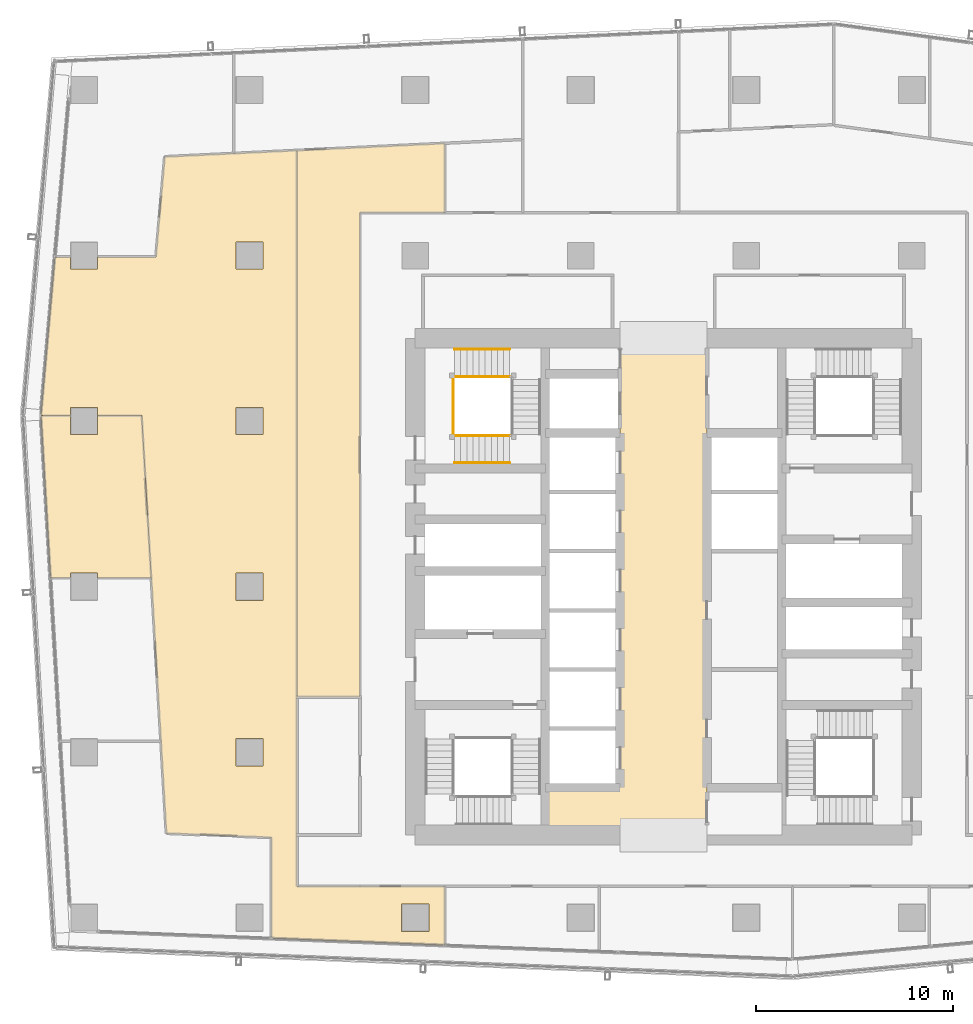
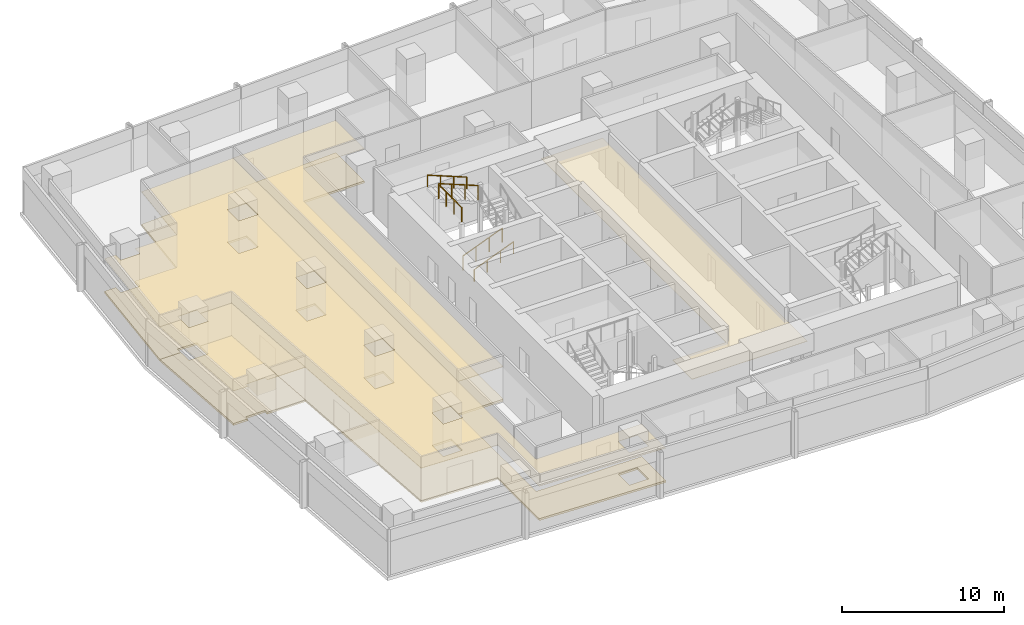
# One storey, part 33 of 38: 7 coverings, 5 railings.
"""IFC4 building model written with IfcOpenShell, lengths in metres."""

import ifcopenshell
import ifcopenshell.guid

model = None  # the IFC model being written
_history = None  # IfcOwnerHistory: only IFC2X3 demands one
_inside = {}  # id of a spatial element -> (the spatial element, [elements in it])
_under = {}  # id of a project, library or spatial element -> (it, [spatial elements below it])
_declared = {}  # id of a project -> (the project, [libraries it declares])
_typed = {}  # id of a type object -> (the type object, [elements of that type])
_made_of = {}  # id of a material, layer set ... -> (it, [elements and type objects made of it])


def new_model(schema):
    """Start an empty IFC model of exactly this schema.

    Asked for "IFC4X3", IfcOpenShell would pick the latest addendum, in which some entities
    have other attributes; the version numbers below select the first issue.
    IFC2X3 requires an IfcOwnerHistory on every rooted entity: one is made here for all.
    """
    global model, _history
    if schema == "IFC4X3":
        model = ifcopenshell.file(schema_version=(4, 3, 0, 0))
    else:
        model = ifcopenshell.file(schema=schema)
    _inside.clear()
    _under.clear()
    _declared.clear()
    _typed.clear()
    _made_of.clear()
    _history = None
    if model.schema == "IFC2X3":
        org = make("IfcOrganization", Name="unknown")
        user = make(
            "IfcPersonAndOrganization",
            ThePerson=make("IfcPerson", FamilyName="unknown"),
            TheOrganization=org,
        )
        app = make(
            "IfcApplication",
            ApplicationDeveloper=org,
            Version="unknown",
            ApplicationFullName="unknown",
            ApplicationIdentifier="unknown",
        )
        _history = make(
            "IfcOwnerHistory",
            OwningUser=user,
            OwningApplication=app,
            ChangeAction="ADDED",
            CreationDate=0,
        )
    return model


def make(cls, **values):
    """One entity of the class cls with the attributes given. An attribute that is None is left unset."""
    return model.create_entity(
        cls, **{name: value for name, value in values.items() if value is not None}
    )


def rooted(cls, **values):
    """An entity with a GlobalId (a new one), such as an element, a storey or a relation."""
    return make(cls, GlobalId=ifcopenshell.guid.new(), OwnerHistory=_history, **values)


def si_unit(unit_type, name, prefix=None):
    """IfcSIUnit, for example si_unit("LENGTHUNIT", "METRE", prefix="MILLI")."""
    return make("IfcSIUnit", UnitType=unit_type, Prefix=prefix, Name=name)


def assignment(units):
    """IfcUnitAssignment: the units of a project."""
    return None if units is None else make("IfcUnitAssignment", Units=units)


def point(xyz):
    """IfcCartesianPoint."""
    return None if xyz is None else make("IfcCartesianPoint", Coordinates=xyz)


def direction(xyz):
    """IfcDirection."""
    return None if xyz is None else make("IfcDirection", DirectionRatios=xyz)


def frame(location, z_axis=None, x_axis=None):
    """IfcAxis2Placement3D, a coordinate frame: its origin and axes. An axis left out is left unset."""
    return make(
        "IfcAxis2Placement3D",
        Location=point(location),
        Axis=direction(z_axis),
        RefDirection=direction(x_axis),
    )


def frame_2d(location, x_axis=None):
    """IfcAxis2Placement2D, a coordinate frame in the plane: its origin and x axis."""
    return make(
        "IfcAxis2Placement2D", Location=point(location), RefDirection=direction(x_axis)
    )


def origin():
    """The frame at (0, 0, 0) with its axes left unset."""
    return frame((0.0, 0.0, 0.0))


def origin_2d():
    """The frame at (0, 0) in the plane with its x axis left unset."""
    return frame_2d((0.0, 0.0))


def place(relative_to, where):
    """IfcLocalPlacement: puts the frame where relative to a parent placement (None: the world)."""
    return make(
        "IfcLocalPlacement", PlacementRelTo=relative_to, RelativePlacement=where
    )


def context(
    kind, dimensions, precision=None, world=None, true_north=None, identifier=None
):
    """IfcGeometricRepresentationContext, for example the 3D "Model" context."""
    return make(
        "IfcGeometricRepresentationContext",
        ContextIdentifier=identifier,
        ContextType=kind,
        CoordinateSpaceDimension=dimensions,
        Precision=precision,
        WorldCoordinateSystem=world,
        TrueNorth=true_north,
    )


def subcontext(parent, identifier, kind, view, scale=None):
    """IfcGeometricRepresentationSubContext, for example "Body" below "Model"."""
    return make(
        "IfcGeometricRepresentationSubContext",
        ContextIdentifier=identifier,
        ContextType=kind,
        ParentContext=parent,
        TargetScale=scale,
        TargetView=view,
    )


def project(units=None, contexts=None):
    """IfcProject with its units and contexts."""
    return rooted(
        "IfcProject",
        Name="project",
        RepresentationContexts=contexts,
        UnitsInContext=assignment(units),
    )


def spatial(cls, under=None, at=None, **own):
    """A site, building, storey or space (cls), placed at a placement, below another one or the project."""
    s = rooted(cls, ObjectPlacement=at, **own)
    if under is not None:
        _under.setdefault(under.id(), (under, []))[1].append(s)
    return s


def polyline(points):
    """IfcPolyline through the points."""
    return make("IfcPolyline", Points=[point(p) for p in points])


def profile(cls, at=None, kind="AREA", **sizes):
    """A parametric profile (cls). Its sizes go by their IFC names, for example OverallWidth=200.0."""
    return make(cls, ProfileType=kind, Position=at, **sizes)


def circle(**sizes):
    """IfcCircleProfileDef."""
    return profile("IfcCircleProfileDef", **sizes)


def outline(outer, holes=None, kind="AREA"):
    """IfcArbitraryClosedProfileDef: a profile drawn as a closed curve; with holes, ...WithVoids."""
    if holes is None:
        return make("IfcArbitraryClosedProfileDef", ProfileType=kind, OuterCurve=outer)
    return make(
        "IfcArbitraryProfileDefWithVoids",
        ProfileType=kind,
        OuterCurve=outer,
        InnerCurves=holes,
    )


def extrude(swept, where, along, depth):
    """IfcExtrudedAreaSolid: the profile swept, set in the frame where, extruded along a direction by depth."""
    return make(
        "IfcExtrudedAreaSolid",
        SweptArea=swept,
        Position=where,
        ExtrudedDirection=direction(along),
        Depth=depth,
    )


def shape(context_of_items, identifier, shape_type, items):
    """IfcShapeRepresentation: the items that make up one representation, for example the "Body"."""
    return make(
        "IfcShapeRepresentation",
        ContextOfItems=context_of_items,
        RepresentationIdentifier=identifier,
        RepresentationType=shape_type,
        Items=items,
    )


def material(Name=None, Category=None):
    """IfcMaterial."""
    return make("IfcMaterial", Name=Name, Category=Category)


def layer(
    of_material, thickness, ventilated=None, Name=None, Category=None, Priority=None
):
    """IfcMaterialLayer: one layer of a wall or slab, of a material (None: an air gap)."""
    return make(
        "IfcMaterialLayer",
        Material=of_material,
        LayerThickness=thickness,
        IsVentilated=ventilated,
        Name=Name,
        Category=Category,
        Priority=Priority,
    )


def layer_set(layers, Name=None):
    """IfcMaterialLayerSet."""
    return make("IfcMaterialLayerSet", MaterialLayers=layers, LayerSetName=Name)


def made_of(thing, what):
    """Note that an element or type object is made of a material, layer set ...; save() writes the relation."""
    if what is not None:
        _made_of.setdefault(what.id(), (what, []))[1].append(thing)
    return thing


def type_object(cls, material=None, **own):
    """A type object (cls), such as IfcWallType, which elements share."""
    return made_of(rooted(cls, **own), material)


def element(
    cls,
    number,
    at=None,
    inside=None,
    cuts=None,
    type_object=None,
    material=None,
    context=None,
    identifier="Body",
    shape_type=None,
    held_by="IfcProductDefinitionShape",
    body=None,
    shapes=None,
    **own,
):
    """One element of the class cls, such as IfcWall. Its Tag is "e" and its number.

    at: its placement. inside: the storey or other place that contains it. cuts: it is an
    opening in that element (IfcRelVoidsElement). A single representation is given by context,
    identifier, shape_type and body (its items); several are given by shapes. held_by: the class
    of the entity that holds the representations. save() writes the other relations.
    """
    e = rooted(cls, Tag="e%d" % number, ObjectPlacement=at, **own)
    if body is not None:
        shapes = [shape(context, identifier, shape_type, body)]
    if shapes is not None:
        e.Representation = make(held_by, Representations=shapes)
    if inside is not None:
        _inside.setdefault(inside.id(), (inside, []))[1].append(e)
    if cuts is not None:
        rooted(
            "IfcRelVoidsElement", RelatingBuildingElement=cuts, RelatedOpeningElement=e
        )
    if type_object is not None:
        _typed.setdefault(type_object.id(), (type_object, []))[1].append(e)
    return made_of(e, material)


def aggregate(whole, parts):
    """IfcRelAggregates: a whole, such as a stair, and the parts it consists of."""
    return rooted("IfcRelAggregates", RelatingObject=whole, RelatedObjects=parts)


def save(model, path):
    """Write the relations noted so far, then the file.

    IfcRelAggregates (storeys below a building ...), IfcRelContainedInSpatialStructure (elements
    in a storey), IfcRelDefinesByType, IfcRelAssociatesMaterial and IfcRelDeclares: one each for
    every whole, place, type object, material and project.
    """
    for whole, parts in _under.values():
        aggregate(whole, parts)
    for where, things in _inside.values():
        rooted(
            "IfcRelContainedInSpatialStructure",
            RelatedElements=things,
            RelatingStructure=where,
        )
    for kind, things in _typed.values():
        rooted("IfcRelDefinesByType", RelatedObjects=things, RelatingType=kind)
    for what, things in _made_of.values():
        rooted("IfcRelAssociatesMaterial", RelatedObjects=things, RelatingMaterial=what)
    for by, libraries in _declared.values():
        rooted("IfcRelDeclares", RelatingContext=by, RelatedDefinitions=libraries)
    model.write(path)


model = new_model("IFC4")

# Units and contexts
model_context = context("Model", 3, precision=1e-05, world=origin(), true_north=direction((0.0, 1.0)))
body_context = subcontext(model_context, "Body", "Model", "MODEL_VIEW")
ifc_project = project(units=[si_unit("LENGTHUNIT", "METRE"), si_unit("AREAUNIT", "SQUARE_METRE"), si_unit("VOLUMEUNIT", "CUBIC_METRE"), si_unit("PLANEANGLEUNIT", "RADIAN"), si_unit("MASSUNIT", "GRAM", prefix="KILO")], contexts=[model_context])

# Site, building, storey
site_placement = place(None, origin())
site = spatial("IfcSite", under=ifc_project, at=site_placement, CompositionType="ELEMENT")
building_placement = place(site_placement, origin())
building = spatial("IfcBuilding", under=site, at=building_placement, Name="Rekha Terrace Tower", CompositionType="ELEMENT")
storey_placement = place(building_placement, frame((0.0, 0.0, 195.199951171875)))
storey = spatial("IfcBuildingStorey", under=building, at=storey_placement, Name="L49", CompositionType="ELEMENT", Elevation=195.199951171875)

# Coverings
ifc_material_1 = material(Name="Mineral fibre tile in exposed grid", Category="finish")
ifc_layer_1 = layer(ifc_material_1, 0.02001953125)
ifc_layer_set_1 = layer_set([ifc_layer_1], Name="Mineral fibre tile in exposed grid")
covering_type_1 = type_object("IfcCoveringType", Name="CL1 600x1200 office grid ceiling", PredefinedType="CEILING", material=ifc_layer_set_1)
covering_1_placement = place(storey_placement, frame((0.0, 0.0, 2.580078125)))
element("IfcCovering", 1, at=covering_1_placement, inside=storey, type_object=covering_type_1, Name="Ceiling L49-14", PredefinedType="CEILING", context=body_context, shape_type="SweptSolid", body=[
    extrude(outline(polyline([(9.090087890625, 34.2900390625), (9.090087890625, 34.041015625), (11.80908203125, 34.041015625), (11.323974609375, 42.281005859375), (9.090087890625, 42.281005859375), (9.090087890625, 41.31005859375), (7.7099609375, 41.31005859375), (7.7099609375, 42.281005859375), (6.215087890625, 42.281005859375), (6.699951171875, 34.041015625), (7.7099609375, 34.041015625), (7.7099609375, 34.2900390625), (9.090087890625, 34.2900390625)])), origin(), (0.0, 0.0, 1.0), 0.02001953125),
])
covering_2_placement = place(storey_placement, frame((0.0, 0.0, 2.580078125)))
element("IfcCovering", 2, at=covering_2_placement, inside=storey, type_object=covering_type_1, Name="Ceiling L49-18", PredefinedType="CEILING", context=body_context, shape_type="SweptSolid", body=[
    extrude(outline(polyline([(26.7041015625, 56.097900390625), (24.5830078125, 55.99609375), (24.27392578125, 55.98193359375), (24.02490234375, 55.969970703125), (19.199951171875, 55.739013671875), (19.199951171875, 28.0), (22.39990234375, 28.0), (22.39990234375, 52.574951171875), (26.7041015625, 52.574951171875), (26.7041015625, 56.097900390625)])), origin(), (0.0, 0.0, 1.0), 0.02001953125),
])
covering_3_placement = place(storey_placement, frame((0.0, 0.0, 2.580078125)))
element("IfcCovering", 3, at=covering_3_placement, inside=storey, type_object=covering_type_1, Name="Ceiling L49-O1b", PredefinedType="CEILING", context=body_context, shape_type="SweptSolid", body=[
    extrude(outline(polyline([(11.81005859375, 34.02490234375), (12.2958984375, 25.76708984375), (12.572021484375, 21.0830078125), (17.89892578125, 20.8701171875), (17.89892578125, 15.76611328125), (26.702880859375, 15.4150390625), (26.702880859375, 18.39990234375), (19.199951171875, 18.39990234375), (19.199951171875, 55.739013671875), (15.97412109375, 55.5849609375), (12.489990234375, 55.41796875), (12.041015625, 50.33203125), (9.090087890625, 50.33203125), (9.090087890625, 49.7099609375), (7.7099609375, 49.7099609375), (7.7099609375, 50.33203125), (6.9208984375, 50.33203125), (6.212890625, 42.31396484375), (6.215087890625, 42.281005859375), (7.7099609375, 42.281005859375), (7.7099609375, 42.68994140625), (9.090087890625, 42.68994140625), (9.090087890625, 42.281005859375), (11.330078125, 42.281005859375), (11.325927734375, 42.239013671875), (11.81005859375, 34.02490234375)]), holes=[polyline([(25.889892578125, 17.489990234375), (25.889892578125, 16.110107421875), (24.510009765625, 16.110107421875), (24.510009765625, 17.489990234375), (25.889892578125, 17.489990234375)]), polyline([(17.489990234375, 24.510009765625), (16.110107421875, 24.510009765625), (16.110107421875, 25.889892578125), (17.489990234375, 25.889892578125), (17.489990234375, 24.510009765625)]), polyline([(17.489990234375, 32.909912109375), (16.110107421875, 32.909912109375), (16.110107421875, 34.2900390625), (17.489990234375, 34.2900390625), (17.489990234375, 32.909912109375)]), polyline([(17.489990234375, 42.68994140625), (17.489990234375, 41.31005859375), (16.110107421875, 41.31005859375), (16.110107421875, 42.68994140625), (17.489990234375, 42.68994140625)]), polyline([(17.489990234375, 51.090087890625), (17.489990234375, 49.7099609375), (16.110107421875, 49.7099609375), (16.110107421875, 51.090087890625), (17.489990234375, 51.090087890625)])]), origin(), (0.0, 0.0, 1.0), 0.02001953125),
])
ifc_material_2 = material(Name="Powder-coated aluminium pan", Category="aluminium")
ifc_layer_2 = layer(ifc_material_2, 0.030029296875)
ifc_layer_set_2 = layer_set([ifc_layer_2], Name="Powder-coated aluminium pan")
covering_type_2 = type_object("IfcCoveringType", Name="CL3 300x1200 metal pan ceiling", PredefinedType="CEILING", material=ifc_layer_set_2)
covering_4_placement = place(storey_placement, frame((0.0, 0.0, 2.570068359375)))
element("IfcCovering", 4, at=covering_4_placement, inside=storey, type_object=covering_type_2, Name="Ceiling L49-LOBBY", PredefinedType="CEILING", context=body_context, shape_type="SweptSolid", body=[
    extrude(outline(polyline([(35.60009765625, 46.199951171875), (35.60009765625, 23.39990234375), (31.800048828125, 23.39990234375), (31.800048828125, 21.0), (40.0, 21.0), (40.0, 46.199951171875), (35.60009765625, 46.199951171875)])), origin(), (0.0, 0.0, 1.0), 0.030029296875),
])

# Railings
ifc_material_3 = material(Name="Stainless steel balustrade", Category="steel")
railing_type_1 = type_object("IfcRailingType", Name="GR1 1100 stair guard", PredefinedType="GUARDRAIL", material=ifc_material_3)
railing_1_placement = place(storey_placement, frame((27.199951171875, 41.264892578125, 0.125)))
element("IfcRailing", 5, at=railing_1_placement, inside=storey, type_object=railing_type_1, Name="Guard ST4 L49 flight 1", PredefinedType="GUARDRAIL", context=body_context, shape_type="SweptSolid", body=[
    extrude(circle(Radius=0.02392578125, at=origin_2d()), frame((0.0, 0.0, 1.076171875), z_axis=(0.927443287984, 0.0, 0.373963831907), x_axis=(0.0, 1.0, 0.0)), (0.0, 0.0, 1.0), 3.00830078125),
    extrude(circle(Radius=0.02099609375, at=origin_2d()), origin(), (0.0, 0.0, 1.0), 1.052001953125),
    extrude(circle(Radius=0.02099609375, at=origin_2d()), frame((0.929931640625, 0.0, 0.375)), (0.0, 0.0, 1.0), 1.052001953125),
    extrude(circle(Radius=0.02099609375, at=origin_2d()), frame((1.860107421875, 0.0, 0.75)), (0.0, 0.0, 1.0), 1.052001953125),
    extrude(circle(Radius=0.02099609375, at=origin_2d()), frame((2.7900390625, 0.0, 1.125)), (0.0, 0.0, 1.0), 1.052001953125),
])
railing_2_placement = place(storey_placement, frame((29.989990234375, 44.260009765625, 2.625)))
element("IfcRailing", 6, at=railing_2_placement, inside=storey, type_object=railing_type_1, Name="Guard ST4 L49 flight 3", PredefinedType="GUARDRAIL", context=body_context, shape_type="SweptSolid", body=[
    extrude(circle(Radius=0.02392578125, at=origin_2d()), frame((0.0, 0.0, 1.076171875), z_axis=(-0.927443287984, 0.0, 0.373963831907), x_axis=(0.0, -1.0, 0.0)), (0.0, 0.0, 1.0), 3.00830078125),
    extrude(circle(Radius=0.02099609375, at=origin_2d()), origin(), (0.0, 0.0, 1.0), 1.052001953125),
    extrude(circle(Radius=0.02099609375, at=origin_2d()), frame((-0.929931640625, 0.0, 0.375)), (0.0, 0.0, 1.0), 1.052001953125),
    extrude(circle(Radius=0.02099609375, at=origin_2d()), frame((-1.860107421875, 0.0, 0.75)), (0.0, 0.0, 1.0), 1.052001953125),
    extrude(circle(Radius=0.02099609375, at=origin_2d()), frame((-2.7900390625, 0.0, 1.125)), (0.0, 0.0, 1.0), 1.052001953125),
])
railing_3_placement = place(storey_placement, frame((27.139892578125, 41.324951171875, 3.75)))
element("IfcRailing", 7, at=railing_3_placement, inside=storey, type_object=railing_type_1, Name="Guard ST4 L49 landing 4", PredefinedType="GUARDRAIL", context=body_context, shape_type="SweptSolid", body=[
    extrude(circle(Radius=0.02392578125, at=origin_2d()), frame((0.0, 0.0, 1.076171875), z_axis=(0.0, 1.0, 0.0), x_axis=(-1.0, 0.0, 0.0)), (0.0, 0.0, 1.0), 2.875),
    extrude(circle(Radius=0.02099609375, at=origin_2d()), origin(), (0.0, 0.0, 1.0), 1.052001953125),
    extrude(circle(Radius=0.02099609375, at=origin_2d()), frame((0.0, 0.958251953125, 0.0)), (0.0, 0.0, 1.0), 1.052001953125),
    extrude(circle(Radius=0.02099609375, at=origin_2d()), frame((0.0, 1.916748046875, 0.0)), (0.0, 0.0, 1.0), 1.052001953125),
    extrude(circle(Radius=0.02099609375, at=origin_2d()), frame((0.0, 2.875, 0.0)), (0.0, 0.0, 1.0), 1.052001953125),
])
ifc_material_4 = material(Name="Stainless steel tube", Category="steel")
railing_type_2 = type_object("IfcRailingType", Name="HR1 900 stair handrail", PredefinedType="HANDRAIL", material=ifc_material_4)
railing_4_placement = place(storey_placement, frame((27.199951171875, 39.885009765625, 0.125)))
element("IfcRailing", 8, at=railing_4_placement, inside=storey, type_object=railing_type_2, Name="Handrail ST4 L49 flight 1", PredefinedType="HANDRAIL", context=body_context, shape_type="SweptSolid", body=[
    extrude(circle(Radius=0.02392578125, at=origin_2d()), frame((0.0, 0.0, 0.8759765625), z_axis=(0.927443287984, 0.0, 0.373963831907), x_axis=(0.0, 1.0, 0.0)), (0.0, 0.0, 1.0), 3.00830078125),
    extrude(circle(Radius=0.02099609375, at=origin_2d()), origin(), (0.0, 0.0, 1.0), 0.851806640625),
    extrude(circle(Radius=0.02099609375, at=origin_2d()), frame((0.929931640625, 0.0, 0.375)), (0.0, 0.0, 1.0), 0.851806640625),
    extrude(circle(Radius=0.02099609375, at=origin_2d()), frame((1.860107421875, 0.0, 0.75)), (0.0, 0.0, 1.0), 0.851806640625),
    extrude(circle(Radius=0.02099609375, at=origin_2d()), frame((2.7900390625, 0.0, 1.125)), (0.0, 0.0, 1.0), 0.851806640625),
])
railing_5_placement = place(storey_placement, frame((29.989990234375, 45.639892578125, 2.625)))
element("IfcRailing", 9, at=railing_5_placement, inside=storey, type_object=railing_type_2, Name="Handrail ST4 L49 flight 3", PredefinedType="HANDRAIL", context=body_context, shape_type="SweptSolid", body=[
    extrude(circle(Radius=0.02392578125, at=origin_2d()), frame((0.0, 0.0, 0.8759765625), z_axis=(-0.927443287984, 0.0, 0.373963831907), x_axis=(0.0, -1.0, 0.0)), (0.0, 0.0, 1.0), 3.00830078125),
    extrude(circle(Radius=0.02099609375, at=origin_2d()), origin(), (0.0, 0.0, 1.0), 0.851806640625),
    extrude(circle(Radius=0.02099609375, at=origin_2d()), frame((-0.929931640625, 0.0, 0.375)), (0.0, 0.0, 1.0), 0.851806640625),
    extrude(circle(Radius=0.02099609375, at=origin_2d()), frame((-1.860107421875, 0.0, 0.75)), (0.0, 0.0, 1.0), 0.851806640625),
    extrude(circle(Radius=0.02099609375, at=origin_2d()), frame((-2.7900390625, 0.0, 1.125)), (0.0, 0.0, 1.0), 0.851806640625),
])

# Coverings
ifc_material_5 = material(Name="Calcium sulphate panels on steel pedestals", Category="steel")
ifc_layer_3 = layer(ifc_material_5, 0.14990234375)
ifc_layer_set_3 = layer_set([ifc_layer_3], Name="Calcium sulphate panels on steel pedestals")
covering_type_3 = type_object("IfcCoveringType", Name="RF1 150 raised access floor", PredefinedType="FLOORING", material=ifc_layer_set_3)
covering_5_placement = place(storey_placement, origin())
element("IfcCovering", 10, at=covering_5_placement, inside=storey, type_object=covering_type_3, Name="Raised floor L49-14", PredefinedType="FLOORING", context=body_context, shape_type="SweptSolid", body=[
    extrude(outline(polyline([(9.090087890625, 34.2900390625), (9.090087890625, 34.041015625), (11.80908203125, 34.041015625), (11.323974609375, 42.281005859375), (9.090087890625, 42.281005859375), (9.090087890625, 41.31005859375), (7.7099609375, 41.31005859375), (7.7099609375, 42.281005859375), (6.215087890625, 42.281005859375), (6.699951171875, 34.041015625), (7.7099609375, 34.041015625), (7.7099609375, 34.2900390625), (9.090087890625, 34.2900390625)])), origin(), (0.0, 0.0, 1.0), 0.150146484375),
])
covering_6_placement = place(storey_placement, origin())
element("IfcCovering", 11, at=covering_6_placement, inside=storey, type_object=covering_type_3, Name="Raised floor L49-18", PredefinedType="FLOORING", context=body_context, shape_type="SweptSolid", body=[
    extrude(outline(polyline([(26.7041015625, 56.097900390625), (24.5830078125, 55.99609375), (24.27392578125, 55.98193359375), (24.02490234375, 55.969970703125), (19.199951171875, 55.739013671875), (19.199951171875, 28.0), (22.39990234375, 28.0), (22.39990234375, 52.574951171875), (26.7041015625, 52.574951171875), (26.7041015625, 56.097900390625)])), origin(), (0.0, 0.0, 1.0), 0.150146484375),
])
covering_7_placement = place(storey_placement, origin())
element("IfcCovering", 12, at=covering_7_placement, inside=storey, type_object=covering_type_3, Name="Raised floor L49-O1b", PredefinedType="FLOORING", context=body_context, shape_type="SweptSolid", body=[
    extrude(outline(polyline([(11.81005859375, 34.02490234375), (12.2958984375, 25.76708984375), (12.572021484375, 21.0830078125), (17.89892578125, 20.8701171875), (17.89892578125, 15.76611328125), (26.702880859375, 15.4150390625), (26.702880859375, 18.39990234375), (19.199951171875, 18.39990234375), (19.199951171875, 55.739013671875), (15.97412109375, 55.5849609375), (12.489990234375, 55.41796875), (12.041015625, 50.33203125), (9.090087890625, 50.33203125), (9.090087890625, 49.7099609375), (7.7099609375, 49.7099609375), (7.7099609375, 50.33203125), (6.9208984375, 50.33203125), (6.212890625, 42.31396484375), (6.215087890625, 42.281005859375), (7.7099609375, 42.281005859375), (7.7099609375, 42.68994140625), (9.090087890625, 42.68994140625), (9.090087890625, 42.281005859375), (11.330078125, 42.281005859375), (11.325927734375, 42.239013671875), (11.81005859375, 34.02490234375)]), holes=[polyline([(25.889892578125, 17.489990234375), (25.889892578125, 16.110107421875), (24.510009765625, 16.110107421875), (24.510009765625, 17.489990234375), (25.889892578125, 17.489990234375)]), polyline([(17.489990234375, 24.510009765625), (16.110107421875, 24.510009765625), (16.110107421875, 25.889892578125), (17.489990234375, 25.889892578125), (17.489990234375, 24.510009765625)]), polyline([(17.489990234375, 32.909912109375), (16.110107421875, 32.909912109375), (16.110107421875, 34.2900390625), (17.489990234375, 34.2900390625), (17.489990234375, 32.909912109375)]), polyline([(17.489990234375, 42.68994140625), (17.489990234375, 41.31005859375), (16.110107421875, 41.31005859375), (16.110107421875, 42.68994140625), (17.489990234375, 42.68994140625)]), polyline([(17.489990234375, 51.090087890625), (17.489990234375, 49.7099609375), (16.110107421875, 49.7099609375), (16.110107421875, 51.090087890625), (17.489990234375, 51.090087890625)])]), origin(), (0.0, 0.0, 1.0), 0.150146484375),
])

save(model, "model.ifc")
